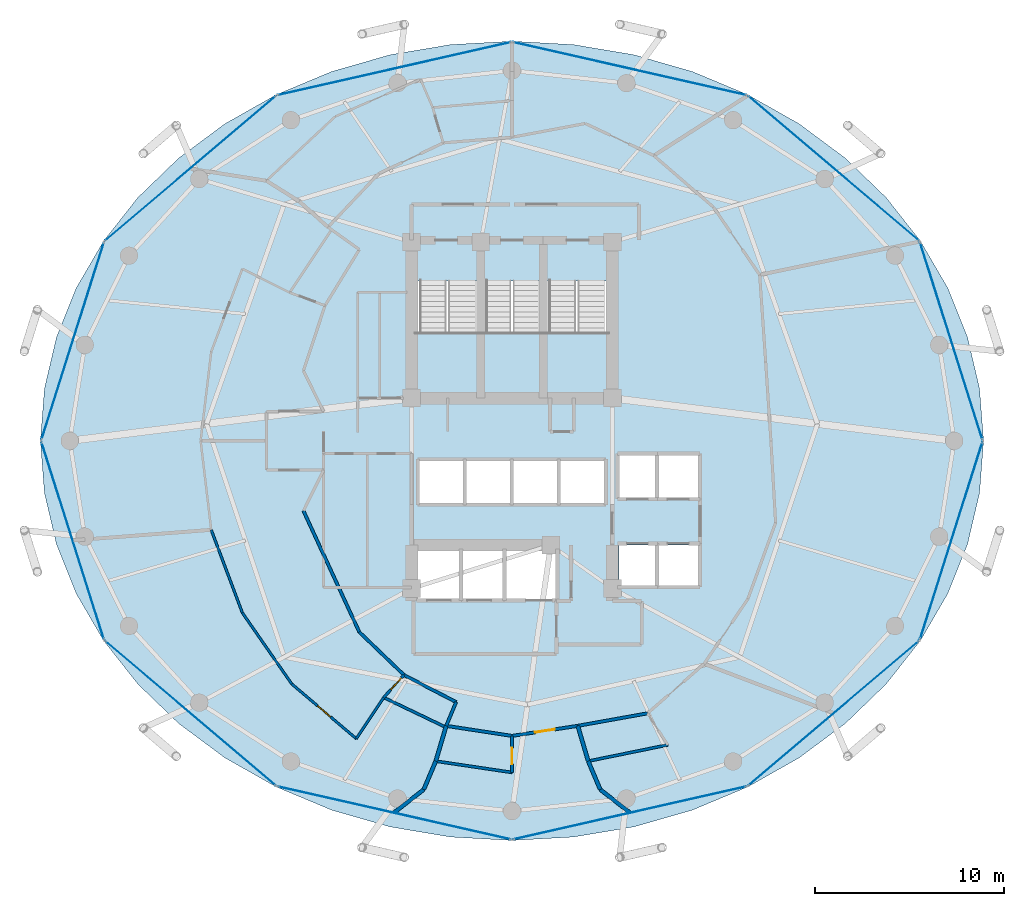
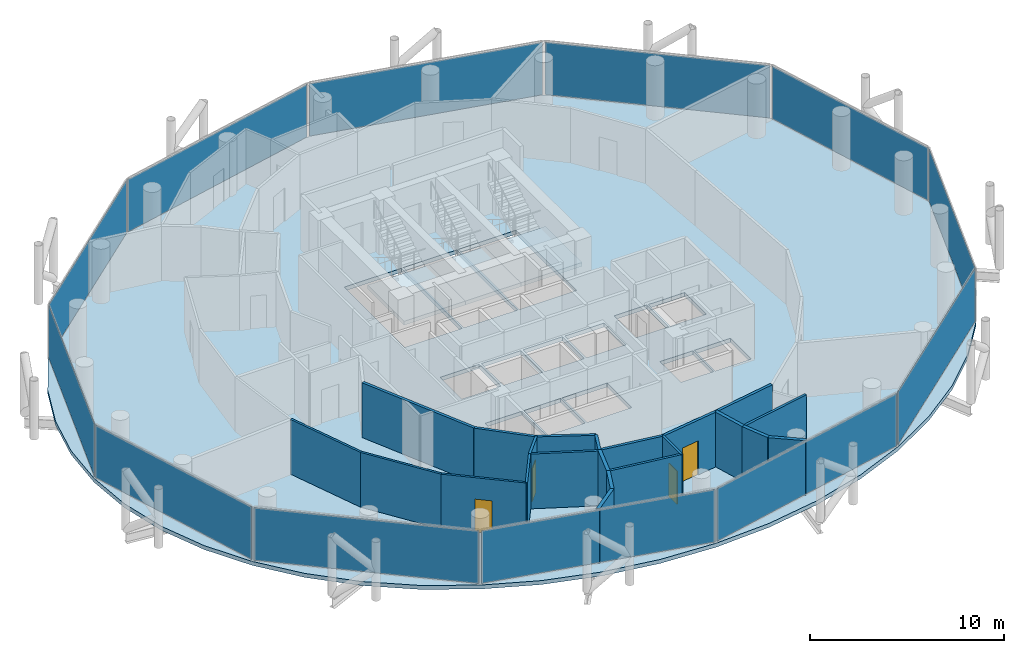
# One storey, part 21 of 26: 22 walls, 12 plates, 4 doors, 4 slabs, 4 openings, 15 elements without a shape of their own.
"""IFC4 building model written with IfcOpenShell, lengths in metres."""

from ifc_helpers import new_model, si_unit, direction, frame, frame_2d, origin, origin_2d, place, context, subcontext, project, spatial, polyline, rectangle, outline, extrude, material, layer, layer_set, type_object, element, fill, aggregate, save


model = new_model("IFC4")

# Units and contexts
model_context = context("Model", 3, precision=1e-05, world=origin(), true_north=direction((0.0, 1.0)))
body_context = subcontext(model_context, "Body", "Model", "MODEL_VIEW")
ifc_project = project(units=[si_unit("LENGTHUNIT", "METRE"), si_unit("AREAUNIT", "SQUARE_METRE"), si_unit("VOLUMEUNIT", "CUBIC_METRE"), si_unit("PLANEANGLEUNIT", "RADIAN"), si_unit("MASSUNIT", "GRAM", prefix="KILO")], contexts=[model_context])

# Site, building, storey
site_placement = place(None, origin())
site = spatial("IfcSite", under=ifc_project, at=site_placement, CompositionType="ELEMENT")
building_placement = place(site_placement, origin())
building = spatial("IfcBuilding", under=site, at=building_placement, Name="Nuhasar Tower", CompositionType="ELEMENT")
storey_placement = place(building_placement, frame((0.0, 0.0, 140.449951171875)))
storey = spatial("IfcBuildingStorey", under=building, at=storey_placement, Name="L33", CompositionType="ELEMENT", Elevation=140.449951171875)

# Curtain wall, plate
ifc_material_1 = material(Name="Aluminium 6063-T6", Category="aluminium")
ifc_layer_1 = layer(ifc_material_1, 0.199951171875)
ifc_layer_set_1 = layer_set([ifc_layer_1], Name="Aluminium 6063-T6")
curtain_wall_type = type_object("IfcCurtainWallType", Name="CW-Z2-HTL", PredefinedType="NOTDEFINED", material=ifc_layer_set_1)
curtain_wall_1_placement = place(storey_placement, origin())
curtain_wall_1 = element("IfcCurtainWall", 1, at=curtain_wall_1_placement, inside=storey, type_object=curtain_wall_type, Name="L33 Unitised Curtain Wall 01", PredefinedType="NOTDEFINED")
ifc_material_2 = material(Name="Glass Double Low-E", Category="glass")
ifc_layer_2 = layer(ifc_material_2, 0.028076171875)
ifc_layer_set_2 = layer_set([ifc_layer_2], Name="Glass Double Low-E")
plate_type = type_object("IfcPlateType", Name="CW-PANEL-GLZ", PredefinedType="CURTAIN_PANEL", material=ifc_layer_set_2)
plate_1_placement = place(storey_placement, frame((62.194580078125, 32.06494140625, 0.070068359375), z_axis=(0.0, 0.0, 1.0), x_axis=(-0.301603667577, 0.953433389233, 0.0)))
plate_1 = element("IfcPlate", 2, at=plate_1_placement, type_object=plate_type, Name="CW-Z2 panel 1.1", PredefinedType="CURTAIN_PANEL", context=body_context, shape_type="SweptSolid", body=[
    extrude(rectangle(XDim=10.904296875, YDim=0.028076171875, at=origin_2d()), origin(), (0.0, 0.0, 1.0), 3.31005859375),
])
aggregate(curtain_wall_1, [plate_1])

curtain_wall_2_placement = place(storey_placement, origin())
curtain_wall_2 = element("IfcCurtainWall", 3, at=curtain_wall_2_placement, inside=storey, type_object=curtain_wall_type, Name="L33 Unitised Curtain Wall 02", PredefinedType="NOTDEFINED")
plate_2_placement = place(storey_placement, frame((55.9794921875, 41.18408203125, 0.070068359375), z_axis=(0.0, 0.0, 1.0), x_axis=(-0.763020370292, 0.646374438324, 0.0)))
plate_2 = element("IfcPlate", 4, at=plate_2_placement, type_object=plate_type, Name="CW-Z2 panel 1.1", PredefinedType="CURTAIN_PANEL", context=body_context, shape_type="SweptSolid", body=[
    extrude(rectangle(XDim=11.784912109375, YDim=0.028076171875, at=origin_2d()), origin(), (0.0, 0.0, 1.0), 3.31005859375),
])
aggregate(curtain_wall_2, [plate_2])

curtain_wall_3_placement = place(storey_placement, origin())
curtain_wall_3 = element("IfcCurtainWall", 5, at=curtain_wall_3_placement, inside=storey, type_object=curtain_wall_type, Name="L33 Unitised Curtain Wall 03", PredefinedType="NOTDEFINED")
plate_3_placement = place(storey_placement, frame((45.215087890625, 46.448974609375, 0.070068359375), z_axis=(0.0, 0.0, 1.0), x_axis=(-0.975183694221, 0.22139729566, 0.0)))
plate_3 = element("IfcPlate", 6, at=plate_3_placement, type_object=plate_type, Name="CW-Z2 panel 1.1", PredefinedType="CURTAIN_PANEL", context=body_context, shape_type="SweptSolid", body=[
    extrude(rectangle(XDim=12.606201171875, YDim=0.028076171875, at=origin_2d()), origin(), (0.0, 0.0, 1.0), 3.31005859375),
])
aggregate(curtain_wall_3, [plate_3])

curtain_wall_4_placement = place(storey_placement, origin())
curtain_wall_4 = element("IfcCurtainWall", 7, at=curtain_wall_4_placement, inside=storey, type_object=curtain_wall_type, Name="L33 Unitised Curtain Wall 04", PredefinedType="NOTDEFINED")
plate_4_placement = place(storey_placement, frame((32.784912109375, 46.448974609375, 0.070068359375), z_axis=(0.0, 0.0, 1.0), x_axis=(-0.975183694221, -0.22139729566, 0.0)))
plate_4 = element("IfcPlate", 8, at=plate_4_placement, type_object=plate_type, Name="CW-Z2 panel 1.1", PredefinedType="CURTAIN_PANEL", context=body_context, shape_type="SweptSolid", body=[
    extrude(rectangle(XDim=12.606201171875, YDim=0.028076171875, at=origin_2d()), origin(), (0.0, 0.0, 1.0), 3.31005859375),
])
aggregate(curtain_wall_4, [plate_4])

curtain_wall_5_placement = place(storey_placement, origin())
curtain_wall_5 = element("IfcCurtainWall", 9, at=curtain_wall_5_placement, inside=storey, type_object=curtain_wall_type, Name="L33 Unitised Curtain Wall 05", PredefinedType="NOTDEFINED")
plate_5_placement = place(storey_placement, frame((22.0205078125, 41.18408203125, 0.070068359375), z_axis=(0.0, 0.0, 1.0), x_axis=(-0.763020370292, -0.646374438324, 0.0)))
plate_5 = element("IfcPlate", 10, at=plate_5_placement, type_object=plate_type, Name="CW-Z2 panel 1.1", PredefinedType="CURTAIN_PANEL", context=body_context, shape_type="SweptSolid", body=[
    extrude(rectangle(XDim=11.784912109375, YDim=0.028076171875, at=origin_2d()), origin(), (0.0, 0.0, 1.0), 3.31005859375),
])
aggregate(curtain_wall_5, [plate_5])

curtain_wall_6_placement = place(storey_placement, origin())
curtain_wall_6 = element("IfcCurtainWall", 11, at=curtain_wall_6_placement, inside=storey, type_object=curtain_wall_type, Name="L33 Unitised Curtain Wall 06", PredefinedType="NOTDEFINED")
plate_6_placement = place(storey_placement, frame((15.805419921875, 32.06494140625, 0.070068359375), z_axis=(0.0, 0.0, 1.0), x_axis=(-0.301603667577, -0.953433389233, 0.0)))
plate_6 = element("IfcPlate", 12, at=plate_6_placement, type_object=plate_type, Name="CW-Z2 panel 1.1", PredefinedType="CURTAIN_PANEL", context=body_context, shape_type="SweptSolid", body=[
    extrude(rectangle(XDim=10.904296875, YDim=0.028076171875, at=origin_2d()), origin(), (0.0, 0.0, 1.0), 3.31005859375),
])
aggregate(curtain_wall_6, [plate_6])

curtain_wall_7_placement = place(storey_placement, origin())
curtain_wall_7 = element("IfcCurtainWall", 13, at=curtain_wall_7_placement, inside=storey, type_object=curtain_wall_type, Name="L33 Unitised Curtain Wall 07", PredefinedType="NOTDEFINED")
plate_7_placement = place(storey_placement, frame((15.805419921875, 21.534912109375, 0.070068359375), z_axis=(0.0, 0.0, 1.0), x_axis=(0.301603667577, -0.953433389233, 0.0)))
plate_7 = element("IfcPlate", 14, at=plate_7_placement, type_object=plate_type, Name="CW-Z2 panel 1.1", PredefinedType="CURTAIN_PANEL", context=body_context, shape_type="SweptSolid", body=[
    extrude(rectangle(XDim=10.904296875, YDim=0.028076171875, at=origin_2d()), origin(), (0.0, 0.0, 1.0), 3.31005859375),
])
aggregate(curtain_wall_7, [plate_7])

curtain_wall_8_placement = place(storey_placement, origin())
curtain_wall_8 = element("IfcCurtainWall", 15, at=curtain_wall_8_placement, inside=storey, type_object=curtain_wall_type, Name="L33 Unitised Curtain Wall 08", PredefinedType="NOTDEFINED")
plate_8_placement = place(storey_placement, frame((22.0205078125, 12.416015625, 0.070068359375), z_axis=(0.0, 0.0, 1.0), x_axis=(0.763020370292, -0.646374438324, 0.0)))
plate_8 = element("IfcPlate", 16, at=plate_8_placement, type_object=plate_type, Name="CW-Z2 panel 1.1", PredefinedType="CURTAIN_PANEL", context=body_context, shape_type="SweptSolid", body=[
    extrude(rectangle(XDim=11.784912109375, YDim=0.028076171875, at=origin_2d()), origin(), (0.0, 0.0, 1.0), 3.31005859375),
])
aggregate(curtain_wall_8, [plate_8])

curtain_wall_9_placement = place(storey_placement, origin())
curtain_wall_9 = element("IfcCurtainWall", 17, at=curtain_wall_9_placement, inside=storey, type_object=curtain_wall_type, Name="L33 Unitised Curtain Wall 09", PredefinedType="NOTDEFINED")
plate_9_placement = place(storey_placement, frame((32.784912109375, 7.15087890625, 0.070068359375), z_axis=(0.0, 0.0, 1.0), x_axis=(0.975183694221, -0.22139729566, 0.0)))
plate_9 = element("IfcPlate", 18, at=plate_9_placement, type_object=plate_type, Name="CW-Z2 panel 1.1", PredefinedType="CURTAIN_PANEL", context=body_context, shape_type="SweptSolid", body=[
    extrude(rectangle(XDim=12.606201171875, YDim=0.028076171875, at=origin_2d()), origin(), (0.0, 0.0, 1.0), 3.31005859375),
])
aggregate(curtain_wall_9, [plate_9])

curtain_wall_10_placement = place(storey_placement, origin())
curtain_wall_10 = element("IfcCurtainWall", 19, at=curtain_wall_10_placement, inside=storey, type_object=curtain_wall_type, Name="L33 Unitised Curtain Wall 10", PredefinedType="NOTDEFINED")
plate_10_placement = place(storey_placement, frame((45.215087890625, 7.15087890625, 0.070068359375), z_axis=(0.0, 0.0, 1.0), x_axis=(0.975183694221, 0.22139729566, 0.0)))
plate_10 = element("IfcPlate", 20, at=plate_10_placement, type_object=plate_type, Name="CW-Z2 panel 1.1", PredefinedType="CURTAIN_PANEL", context=body_context, shape_type="SweptSolid", body=[
    extrude(rectangle(XDim=12.606201171875, YDim=0.028076171875, at=origin_2d()), origin(), (0.0, 0.0, 1.0), 3.31005859375),
])
aggregate(curtain_wall_10, [plate_10])

curtain_wall_11_placement = place(storey_placement, origin())
curtain_wall_11 = element("IfcCurtainWall", 21, at=curtain_wall_11_placement, inside=storey, type_object=curtain_wall_type, Name="L33 Unitised Curtain Wall 11", PredefinedType="NOTDEFINED")
plate_11_placement = place(storey_placement, frame((55.9794921875, 12.416015625, 0.070068359375), z_axis=(0.0, 0.0, 1.0), x_axis=(0.763020370292, 0.646374438324, 0.0)))
plate_11 = element("IfcPlate", 22, at=plate_11_placement, type_object=plate_type, Name="CW-Z2 panel 1.1", PredefinedType="CURTAIN_PANEL", context=body_context, shape_type="SweptSolid", body=[
    extrude(rectangle(XDim=11.784912109375, YDim=0.028076171875, at=origin_2d()), origin(), (0.0, 0.0, 1.0), 3.31005859375),
])
aggregate(curtain_wall_11, [plate_11])

curtain_wall_12_placement = place(storey_placement, origin())
curtain_wall_12 = element("IfcCurtainWall", 23, at=curtain_wall_12_placement, inside=storey, type_object=curtain_wall_type, Name="L33 Unitised Curtain Wall 12", PredefinedType="NOTDEFINED")
plate_12_placement = place(storey_placement, frame((62.194580078125, 21.534912109375, 0.070068359375), z_axis=(0.0, 0.0, 1.0), x_axis=(0.301603667577, 0.953433389233, 0.0)))
plate_12 = element("IfcPlate", 24, at=plate_12_placement, type_object=plate_type, Name="CW-Z2 panel 1.1", PredefinedType="CURTAIN_PANEL", context=body_context, shape_type="SweptSolid", body=[
    extrude(rectangle(XDim=10.904296875, YDim=0.028076171875, at=origin_2d()), origin(), (0.0, 0.0, 1.0), 3.31005859375),
])
aggregate(curtain_wall_12, [plate_12])

# Stair, slab
ifc_material_3 = material(Name="Concrete C45/55", Category="concrete")
stair_type_1 = type_object("IfcStairType", Name="STR-ST-01-2F-22R-1682", PredefinedType="HALF_TURN_STAIR", material=ifc_material_3)
stair_1_placement = place(storey_placement, origin())
stair_1 = element("IfcStair", 25, at=stair_1_placement, inside=storey, type_object=stair_type_1, Name="L33 Exit Stair ST-01", PredefinedType="HALF_TURN_STAIR")
ifc_layer_3 = layer(ifc_material_3, 0.239990234375)
ifc_layer_set_3 = layer_set([ifc_layer_3], Name="Concrete C45/55")
slab_type_1 = type_object("IfcSlabType", Name="SLB-STAIR-LND-240", PredefinedType="LANDING", material=ifc_layer_set_3)
slab_1_placement = place(storey_placement, frame((0.0, 0.0, 1.610107421875)))
slab_1 = element("IfcSlab", 26, at=slab_1_placement, type_object=slab_type_1, Name="ST-01 landing 1", PredefinedType="LANDING", context=body_context, shape_type="SweptSolid", body=[
    extrude(outline(polyline([(33.699951171875, 28.75), (37.35009765625, 28.75), (37.35009765625, 32.52001953125), (33.699951171875, 32.52001953125), (33.699951171875, 28.75)])), origin(), (0.0, 0.0, 1.0), 0.239990234375),
])
aggregate(stair_1, [slab_1])

stair_type_2 = type_object("IfcStairType", Name="STR-ST-03-2F-22R-1682", PredefinedType="HALF_TURN_STAIR", material=ifc_material_3)
stair_2_placement = place(storey_placement, origin())
stair_2 = element("IfcStair", 27, at=stair_2_placement, inside=storey, type_object=stair_type_2, Name="L33 Exit Stair ST-03", PredefinedType="HALF_TURN_STAIR")
slab_2_placement = place(storey_placement, frame((0.0, 0.0, 1.610107421875)))
slab_2 = element("IfcSlab", 28, at=slab_2_placement, type_object=slab_type_1, Name="ST-03 landing 1", PredefinedType="LANDING", context=body_context, shape_type="SweptSolid", body=[
    extrude(outline(polyline([(37.35009765625, 28.75), (40.64990234375, 28.75), (40.64990234375, 32.52001953125), (37.35009765625, 32.52001953125), (37.35009765625, 28.75)])), origin(), (0.0, 0.0, 1.0), 0.239990234375),
])
aggregate(stair_2, [slab_2])

stair_type_3 = type_object("IfcStairType", Name="STR-ST-02-2F-22R-1682", PredefinedType="HALF_TURN_STAIR", material=ifc_material_3)
stair_3_placement = place(storey_placement, origin())
stair_3 = element("IfcStair", 29, at=stair_3_placement, inside=storey, type_object=stair_type_3, Name="L33 Exit Stair ST-02", PredefinedType="HALF_TURN_STAIR")
slab_3_placement = place(storey_placement, frame((0.0, 0.0, 1.610107421875)))
slab_3 = element("IfcSlab", 30, at=slab_3_placement, type_object=slab_type_1, Name="ST-02 landing 1", PredefinedType="LANDING", context=body_context, shape_type="SweptSolid", body=[
    extrude(outline(polyline([(40.64990234375, 28.75), (44.300048828125, 28.75), (44.300048828125, 32.52001953125), (40.64990234375, 32.52001953125), (40.64990234375, 28.75)])), origin(), (0.0, 0.0, 1.0), 0.239990234375),
])
aggregate(stair_3, [slab_3])

# Slab
ifc_layer_4 = layer(ifc_material_3, 0.25)
ifc_layer_set_4 = layer_set([ifc_layer_4], Name="Concrete C45/55")
slab_type_2 = type_object("IfcSlabType", Name="SLB-Z1B-250", PredefinedType="FLOOR", material=ifc_layer_set_4)
slab_4_placement = place(storey_placement, frame((0.0, 0.0, -0.25)))
element("IfcSlab", 31, at=slab_4_placement, inside=storey, type_object=slab_type_2, Name="L33 Structural Slab", PredefinedType="FLOOR", context=body_context, shape_type="SweptSolid", body=[
    extrude(outline(polyline([(63.89990234375, 26.800048828125), (63.68701171875, 29.553955078125), (63.052001953125, 32.260986328125), (62.0048828125, 34.875), (60.56396484375, 37.35009765625), (58.75390625, 39.64501953125), (56.60693359375, 41.719970703125), (54.157958984375, 43.5400390625), (51.449951171875, 45.072998046875), (48.529052734375, 46.2939453125), (45.445068359375, 47.180908203125), (42.25, 47.718994140625), (39.0, 47.89990234375), (35.75, 47.718994140625), (32.554931640625, 47.180908203125), (29.470947265625, 46.2939453125), (26.550048828125, 45.072998046875), (23.842041015625, 43.5400390625), (21.39306640625, 41.719970703125), (19.24609375, 39.64501953125), (17.43603515625, 37.35009765625), (15.9951171875, 34.875), (14.947998046875, 32.260986328125), (14.31298828125, 29.553955078125), (14.10009765625, 26.800048828125), (14.31298828125, 24.0458984375), (14.947998046875, 21.339111328125), (15.9951171875, 18.72509765625), (17.43603515625, 16.25), (19.24609375, 13.955078125), (21.39306640625, 11.8798828125), (23.842041015625, 10.06005859375), (26.550048828125, 8.527099609375), (29.470947265625, 7.305908203125), (32.554931640625, 6.4189453125), (35.75, 5.881103515625), (39.0, 5.699951171875), (42.25, 5.881103515625), (45.445068359375, 6.4189453125), (48.529052734375, 7.305908203125), (51.449951171875, 8.527099609375), (54.157958984375, 10.06005859375), (56.60693359375, 11.8798828125), (58.75390625, 13.955078125), (60.56396484375, 16.25), (62.0048828125, 18.72509765625), (63.052001953125, 21.339111328125), (63.68701171875, 24.0458984375), (63.89990234375, 26.800048828125)]), holes=[polyline([(33.8798828125, 35.25), (37.300048828125, 35.25), (37.300048828125, 29.0), (33.8798828125, 29.0), (33.8798828125, 35.25)]), polyline([(37.39990234375, 35.25), (40.60009765625, 35.25), (40.60009765625, 29.0), (37.39990234375, 29.0), (37.39990234375, 35.25)]), polyline([(40.699951171875, 35.25), (44.1201171875, 35.25), (44.1201171875, 29.0), (40.699951171875, 29.0), (40.699951171875, 35.25)]), polyline([(44.64990234375, 26.050048828125), (46.60009765625, 26.050048828125), (46.60009765625, 23.800048828125), (44.64990234375, 23.800048828125), (44.64990234375, 26.050048828125)]), polyline([(46.699951171875, 26.050048828125), (48.85009765625, 26.050048828125), (48.85009765625, 23.800048828125), (46.699951171875, 23.800048828125), (46.699951171875, 26.050048828125)]), polyline([(44.64990234375, 21.300048828125), (46.60009765625, 21.300048828125), (46.60009765625, 19.14990234375), (44.64990234375, 19.14990234375), (44.64990234375, 21.300048828125)]), polyline([(46.699951171875, 21.300048828125), (48.85009765625, 21.300048828125), (48.85009765625, 19.14990234375), (46.699951171875, 19.14990234375), (46.699951171875, 21.300048828125)]), polyline([(34.10009765625, 25.75), (36.43994140625, 25.75), (36.43994140625, 23.5), (34.10009765625, 23.5), (34.10009765625, 25.75)]), polyline([(36.580078125, 25.75), (38.919921875, 25.75), (38.919921875, 23.5), (36.580078125, 23.5), (36.580078125, 25.75)]), polyline([(39.06005859375, 25.75), (41.39990234375, 25.75), (41.39990234375, 23.5), (39.06005859375, 23.5), (39.06005859375, 25.75)]), polyline([(41.5400390625, 25.75), (43.8798828125, 25.75), (43.8798828125, 23.5), (41.5400390625, 23.5), (41.5400390625, 25.75)]), polyline([(34.050048828125, 21.0), (36.25, 21.0), (36.25, 18.449951171875), (34.050048828125, 18.449951171875), (34.050048828125, 21.0)]), polyline([(36.35009765625, 21.0), (38.550048828125, 21.0), (38.550048828125, 18.449951171875), (36.35009765625, 18.449951171875), (36.35009765625, 21.0)]), polyline([(38.64990234375, 21.0), (41.320068359375, 21.0), (41.320068359375, 18.449951171875), (38.64990234375, 18.449951171875), (38.64990234375, 21.0)])]), origin(), (0.0, 0.0, 1.0), 0.25),
])

# Wall
ifc_material_4 = material(Name="Gypsum Board", Category="gypsum")
ifc_layer_5 = layer(ifc_material_4, 0.159912109375)
ifc_layer_set_5 = layer_set([ifc_layer_5], Name="Gypsum Board")
wall_type_1 = type_object("IfcWallType", Name="WL-CORR-160", PredefinedType="PARTITIONING", material=ifc_layer_set_5)
wall_1_placement = place(storey_placement, frame((35.527099609375, 11.7509765625, 0.0), z_axis=(0.0, 0.0, 1.0), x_axis=(0.988511864265, -0.151143290318, 0.0)))
element("IfcWall", 32, at=wall_1_placement, inside=storey, type_object=wall_type_1, Name="L33 Interior Partition CORR-34", PredefinedType="PARTITIONING", context=body_context, shape_type="SweptSolid", body=[
    extrude(rectangle(XDim=3.51318359375, YDim=0.159912109375, at=frame_2d((1.756591796875, 0.0))), origin(), (0.0, 0.0, 1.0), 3.449951171875),
])

# Wall, opening, door
wall_2_placement = place(storey_placement, frame((42.472900390625, 11.7509765625, 0.0), z_axis=(0.0, 0.0, 1.0), x_axis=(-0.988511864265, -0.151143290318, 0.0)))
wall_2 = element("IfcWall", 33, at=wall_2_placement, inside=storey, type_object=wall_type_1, Name="L33 Interior Partition CORR-36", PredefinedType="PARTITIONING", context=body_context, shape_type="SweptSolid", body=[
    extrude(rectangle(XDim=3.51318359375, YDim=0.159912109375, at=frame_2d((1.756591796875, 0.0))), origin(), (0.0, 0.0, 1.0), 3.449951171875),
])
opening_1_placement = place(wall_2_placement, frame((1.23193359375, 0.0, 0.0)))
opening_1 = element("IfcOpeningElement", 34, at=opening_1_placement, cuts=wall_2, Name="Opening DU-01", PredefinedType="OPENING", context=body_context, shape_type="SweptSolid", body=[
    extrude(rectangle(XDim=1.050048828125, YDim=2.14990234375, at=frame_2d((0.52490234375, 1.074951171875))), frame((0.0, 0.08984375, 0.0), z_axis=(0.0, -1.0, 0.0), x_axis=(1.0, 0.0, 0.0)), (0.0, 0.0, 1.0), 0.179931640625),
])
ifc_material_5 = material(Name="Timber Oak", Category="wood")
door_type_1 = type_object("IfcDoorType", Name="DR-SUITE-FD60-1050", OperationType="NOTDEFINED", PredefinedType="DOOR", material=ifc_material_5)
door_1_placement = place(opening_1_placement, origin())
door_1 = element("IfcDoor", 35, at=door_1_placement, inside=storey, type_object=door_type_1, Name="L33 Club Junior Suite 01 Entrance Door", OperationType="SINGLE_SWING_RIGHT", OverallHeight=2.14990234375, OverallWidth=1.050048828125, PredefinedType="DOOR", context=body_context, shape_type="SweptSolid", body=[
    extrude(rectangle(XDim=1.050048828125, YDim=2.14990234375, at=frame_2d((0.52490234375, 1.074951171875))), frame((0.0, 0.02490234375, 0.0), z_axis=(0.0, -1.0, 0.0), x_axis=(1.0, 0.0, 0.0)), (0.0, 0.0, 1.0), 0.050048828125),
])
fill(opening_1, door_1)

# Walls
wall_3_placement = place(storey_placement, frame((42.472900390625, 11.7509765625, 0.0), z_axis=(0.0, 0.0, 1.0), x_axis=(0.984260148177, 0.176725665115, 0.0)))
element("IfcWall", 36, at=wall_3_placement, inside=storey, type_object=wall_type_1, Name="L33 Interior Partition CORR-38", PredefinedType="PARTITIONING", context=body_context, shape_type="SweptSolid", body=[
    extrude(rectangle(XDim=3.740966796875, YDim=0.159912109375, at=frame_2d((1.87060546875, 0.0))), origin(), (0.0, 0.0, 1.0), 3.449951171875),
])
wall_4_placement = place(storey_placement, frame((36.049072265625, 13.007080078125, 0.0), z_axis=(0.0, 0.0, 1.0), x_axis=(-0.38373584686, -0.923442905563, 0.0)))
element("IfcWall", 37, at=wall_4_placement, inside=storey, type_object=wall_type_1, Name="L33 Interior Partition HRAD-34-IN", PredefinedType="PARTITIONING", context=body_context, shape_type="SweptSolid", body=[
    extrude(rectangle(XDim=1.3603515625, YDim=0.159912109375, at=frame_2d((0.68017578125, 0.0))), origin(), (0.0, 0.0, 1.0), 3.449951171875),
])
wall_5_placement = place(storey_placement, frame((27.988037109375, 23.10400390625, 0.0), z_axis=(0.0, 0.0, 1.0), x_axis=(0.418656179426, -0.908144814128, 0.0)))
element("IfcWall", 38, at=wall_5_placement, inside=storey, type_object=wall_type_1, Name="L33 Interior Partition HWEST-CORE-S1-26", PredefinedType="PARTITIONING", context=body_context, shape_type="SweptSolid", body=[
    extrude(rectangle(XDim=7.048583984375, YDim=0.159912109375, at=frame_2d((3.5244140625, 0.0))), origin(), (0.0, 0.0, 1.0), 3.449951171875),
])
wall_6_placement = place(storey_placement, frame((30.93896484375, 16.702880859375, 0.0), z_axis=(0.0, 0.0, 1.0), x_axis=(0.72090897908, -0.693029756851, 0.0)))
element("IfcWall", 39, at=wall_6_placement, inside=storey, type_object=wall_type_1, Name="L33 Interior Partition HWEST-CORE-S2-30", PredefinedType="PARTITIONING", context=body_context, shape_type="SweptSolid", body=[
    extrude(rectangle(XDim=3.275146484375, YDim=0.159912109375, at=frame_2d((1.6376953125, 0.0))), origin(), (0.0, 0.0, 1.0), 3.449951171875),
])
wall_7_placement = place(storey_placement, frame((33.300048828125, 14.43310546875, 0.0), z_axis=(0.0, 0.0, 1.0), x_axis=(0.887674575788, -0.460471331898, 0.0)))
element("IfcWall", 40, at=wall_7_placement, inside=storey, type_object=wall_type_1, Name="L33 Interior Partition HWEST-CORE-S2-32", PredefinedType="PARTITIONING", context=body_context, shape_type="SweptSolid", body=[
    extrude(rectangle(XDim=3.096923828125, YDim=0.159912109375, at=frame_2d((1.54833984375, 0.0))), origin(), (0.0, 0.0, 1.0), 3.449951171875),
])
ifc_layer_6 = layer(ifc_material_4, 0.125)
ifc_layer_set_6 = layer_set([ifc_layer_6], Name="Gypsum Board")
wall_type_2 = type_object("IfcWallType", Name="WL-PART-125", PredefinedType="PARTITIONING", material=ifc_layer_set_6)
wall_8_placement = place(storey_placement, frame((32.22509765625, 13.2470703125, 0.0), z_axis=(0.0, 0.0, 1.0), x_axis=(-0.553555827905, -0.832812070873, 0.0)))
element("IfcWall", 41, at=wall_8_placement, inside=storey, type_object=wall_type_2, Name="L33 Interior Partition HWS2-N", PredefinedType="PARTITIONING", context=body_context, shape_type="SweptSolid", body=[
    extrude(rectangle(XDim=2.610595703125, YDim=0.125, at=frame_2d((1.30517578125, 0.0))), origin(), (0.0, 0.0, 1.0), 3.449951171875),
])
wall_9_placement = place(storey_placement, frame((23.1201171875, 22.10009765625, 0.0), z_axis=(0.0, 0.0, 1.0), x_axis=(0.351174914427, -0.936309873641, 0.0)))
element("IfcWall", 42, at=wall_9_placement, inside=storey, type_object=wall_type_2, Name="L33 Interior Partition HWS2-ARC-26", PredefinedType="PARTITIONING", context=body_context, shape_type="SweptSolid", body=[
    extrude(rectangle(XDim=4.677978515625, YDim=0.125, at=frame_2d((2.3388671875, 0.0))), origin(), (0.0, 0.0, 1.0), 3.449951171875),
])
wall_10_placement = place(storey_placement, frame((24.762939453125, 17.719970703125, 0.0), z_axis=(0.0, 0.0, 1.0), x_axis=(0.570434776354, -0.821342903985, 0.0)))
element("IfcWall", 43, at=wall_10_placement, inside=storey, type_object=wall_type_2, Name="L33 Interior Partition HWS2-ARC-28", PredefinedType="PARTITIONING", context=body_context, shape_type="SweptSolid", body=[
    extrude(rectangle(XDim=4.5791015625, YDim=0.125, at=frame_2d((2.28955078125, 0.0))), origin(), (0.0, 0.0, 1.0), 3.449951171875),
])

# Wall, opening, door
wall_11_placement = place(storey_placement, frame((27.375, 13.958984375, 0.0), z_axis=(0.0, 0.0, 1.0), x_axis=(0.762854903473, -0.646569714917, 0.0)))
wall_11 = element("IfcWall", 44, at=wall_11_placement, inside=storey, type_object=wall_type_2, Name="L33 Interior Partition HWS2-ARC-30", PredefinedType="PARTITIONING", context=body_context, shape_type="SweptSolid", body=[
    extrude(rectangle(XDim=4.463623046875, YDim=0.125, at=frame_2d((2.23193359375, 0.0))), origin(), (0.0, 0.0, 1.0), 3.449951171875),
])
opening_2_placement = place(wall_11_placement, frame((1.781982421875, 0.0, 0.0)))
opening_2 = element("IfcOpeningElement", 45, at=opening_2_placement, cuts=wall_11, Name="Opening DR-01", PredefinedType="OPENING", context=body_context, shape_type="SweptSolid", body=[
    extrude(rectangle(XDim=0.89990234375, YDim=2.10009765625, at=frame_2d((0.449951171875, 1.050048828125))), frame((0.0, 0.072509765625, 0.0), z_axis=(0.0, -1.0, 0.0), x_axis=(1.0, 0.0, 0.0)), (0.0, 0.0, 1.0), 0.14501953125),
])
door_type_2 = type_object("IfcDoorType", Name="DR-ROOM-900", OperationType="NOTDEFINED", PredefinedType="DOOR", material=ifc_material_5)
door_2_placement = place(opening_2_placement, origin())
door_2 = element("IfcDoor", 46, at=door_2_placement, inside=storey, type_object=door_type_2, Name="L33 South-West Presidential Suite Bedroom Door", OperationType="SINGLE_SWING_RIGHT", OverallHeight=2.10009765625, OverallWidth=0.89990234375, PredefinedType="DOOR", context=body_context, shape_type="SweptSolid", body=[
    extrude(rectangle(XDim=0.89990234375, YDim=2.10009765625, at=frame_2d((0.449951171875, 1.050048828125))), frame((0.0, 0.02490234375, 0.0), z_axis=(0.0, -1.0, 0.0), x_axis=(1.0, 0.0, 0.0)), (0.0, 0.0, 1.0), 0.050048828125),
])
fill(opening_2, door_2)

# Walls
ifc_material_6 = material(Name="Concrete C40/50 precast", Category="concrete")
ifc_layer_7 = layer(ifc_material_6, 0.199951171875)
ifc_layer_set_7 = layer_set([ifc_layer_7], Name="Concrete C40/50 precast")
wall_type_3 = type_object("IfcWallType", Name="WL-UNIT-200", PredefinedType="PARTITIONING", material=ifc_layer_set_7)
wall_12_placement = place(storey_placement, frame((35.527099609375, 11.7509765625, 0.0), z_axis=(0.0, 0.0, 1.0), x_axis=(-0.283947221883, -0.958839911135, 0.0)))
element("IfcWall", 47, at=wall_12_placement, inside=storey, type_object=wall_type_3, Name="L33 Interior Partition HRAD-34-OUT-S1", PredefinedType="PARTITIONING", context=body_context, shape_type="SweptSolid", body=[
    extrude(rectangle(XDim=1.944091796875, YDim=0.199951171875, at=frame_2d((0.97216796875, 0.0))), origin(), (0.0, 0.0, 1.0), 3.449951171875),
])
wall_13_placement = place(storey_placement, frame((34.97509765625, 9.886962890625, 0.0), z_axis=(0.0, 0.0, 1.0), x_axis=(-0.389767285182, -0.920913385396, 0.0)))
element("IfcWall", 48, at=wall_13_placement, inside=storey, type_object=wall_type_3, Name="L33 Interior Partition HRAD-34-OUT-S2", PredefinedType="PARTITIONING", context=body_context, shape_type="SweptSolid", body=[
    extrude(rectangle(XDim=1.626708984375, YDim=0.199951171875, at=frame_2d((0.8134765625, 0.0))), origin(), (0.0, 0.0, 1.0), 3.449951171875),
])
wall_14_placement = place(storey_placement, frame((34.341064453125, 8.388916015625, 0.0), z_axis=(0.0, 0.0, 1.0), x_axis=(-0.788976644824, -0.614423187976, 0.0)))
element("IfcWall", 49, at=wall_14_placement, inside=storey, type_object=wall_type_3, Name="L33 Interior Partition HRAD-34-OUT-S3", PredefinedType="PARTITIONING", context=body_context, shape_type="SweptSolid", body=[
    extrude(rectangle(XDim=1.9609375, YDim=0.199951171875, at=frame_2d((0.98046875, 0.0))), origin(), (0.0, 0.0, 1.0), 3.449951171875),
])
wall_15_placement = place(storey_placement, frame((42.472900390625, 11.7509765625, 0.0), z_axis=(0.0, 0.0, 1.0), x_axis=(0.283947221883, -0.958839911135, 0.0)))
element("IfcWall", 50, at=wall_15_placement, inside=storey, type_object=wall_type_3, Name="L33 Interior Partition HRAD-38-S1", PredefinedType="PARTITIONING", context=body_context, shape_type="SweptSolid", body=[
    extrude(rectangle(XDim=1.944091796875, YDim=0.199951171875, at=frame_2d((0.97216796875, 0.0))), origin(), (0.0, 0.0, 1.0), 3.449951171875),
])
wall_16_placement = place(storey_placement, frame((43.02490234375, 9.886962890625, 0.0), z_axis=(0.0, 0.0, 1.0), x_axis=(0.389767285182, -0.920913385396, 0.0)))
element("IfcWall", 51, at=wall_16_placement, inside=storey, type_object=wall_type_3, Name="L33 Interior Partition HRAD-38-S2", PredefinedType="PARTITIONING", context=body_context, shape_type="SweptSolid", body=[
    extrude(rectangle(XDim=1.626708984375, YDim=0.199951171875, at=frame_2d((0.8134765625, 0.0))), origin(), (0.0, 0.0, 1.0), 3.449951171875),
])
wall_17_placement = place(storey_placement, frame((43.658935546875, 8.388916015625, 0.0), z_axis=(0.0, 0.0, 1.0), x_axis=(0.788976644824, -0.614423187976, 0.0)))
element("IfcWall", 52, at=wall_17_placement, inside=storey, type_object=wall_type_3, Name="L33 Interior Partition HRAD-38-S3", PredefinedType="PARTITIONING", context=body_context, shape_type="SweptSolid", body=[
    extrude(rectangle(XDim=1.9609375, YDim=0.199951171875, at=frame_2d((0.98046875, 0.0))), origin(), (0.0, 0.0, 1.0), 3.449951171875),
])

# Wall, opening, door
ifc_layer_8 = layer(ifc_material_6, 0.139892578125)
ifc_layer_set_8 = layer_set([ifc_layer_8], Name="Concrete C40/50 precast")
wall_type_4 = type_object("IfcWallType", Name="WL-WET-140", PredefinedType="PARTITIONING", material=ifc_layer_set_8)
wall_18_placement = place(storey_placement, frame((39.0, 11.219970703125, 0.0), z_axis=(0.0, 0.0, 1.0), x_axis=(0.0, -1.0, 0.0)))
wall_18 = element("IfcWall", 53, at=wall_18_placement, inside=storey, type_object=wall_type_4, Name="L33 Interior Partition HBW-01", PredefinedType="PARTITIONING", context=body_context, shape_type="SweptSolid", body=[
    extrude(rectangle(XDim=1.929931640625, YDim=0.139892578125, at=frame_2d((0.96484375, 0.0))), origin(), (0.0, 0.0, 1.0), 3.449951171875),
])
opening_3_placement = place(wall_18_placement, frame((0.636962890625, 0.0, 0.0)))
opening_3 = element("IfcOpeningElement", 54, at=opening_3_placement, cuts=wall_18, Name="Opening DB-01", PredefinedType="OPENING", context=body_context, shape_type="SweptSolid", body=[
    extrude(rectangle(XDim=0.85009765625, YDim=2.10009765625, at=frame_2d((0.425048828125, 1.050048828125))), frame((0.0, 0.080078125, 0.0), z_axis=(0.0, -1.0, 0.0), x_axis=(1.0, 0.0, 0.0)), (0.0, 0.0, 1.0), 0.159912109375),
])
door_type_3 = type_object("IfcDoorType", Name="DR-BATH-850", OperationType="NOTDEFINED", PredefinedType="DOOR", material=ifc_material_5)
door_3_placement = place(opening_3_placement, origin())
door_3 = element("IfcDoor", 55, at=door_3_placement, inside=storey, type_object=door_type_3, Name="L33 Club Junior Suite 01 En-Suite Door", OperationType="SINGLE_SWING_RIGHT", OverallHeight=2.10009765625, OverallWidth=0.85009765625, PredefinedType="DOOR", context=body_context, shape_type="SweptSolid", body=[
    extrude(rectangle(XDim=0.85009765625, YDim=2.10009765625, at=frame_2d((0.425048828125, 1.050048828125))), frame((0.0, 0.02490234375, 0.0), z_axis=(0.0, -1.0, 0.0), x_axis=(1.0, 0.0, 0.0)), (0.0, 0.0, 1.0), 0.050048828125),
])
fill(opening_3, door_3)

# Walls
wall_19_placement = place(storey_placement, frame((34.97509765625, 9.886962890625, 0.0), z_axis=(0.0, 0.0, 1.0), x_axis=(0.989180577346, -0.146703051778, 0.0)))
element("IfcWall", 56, at=wall_19_placement, inside=storey, type_object=wall_type_4, Name="L33 Interior Partition HBF-01-34", PredefinedType="PARTITIONING", context=body_context, shape_type="SweptSolid", body=[
    extrude(rectangle(XDim=4.06884765625, YDim=0.139892578125, at=frame_2d((2.034423828125, 0.0))), origin(), (0.0, 0.0, 1.0), 3.449951171875),
])
wall_20_placement = place(storey_placement, frame((43.02490234375, 9.886962890625, 0.0), z_axis=(0.0, 0.0, 1.0), x_axis=(0.979769708122, 0.200128256494, 0.0)))
element("IfcWall", 57, at=wall_20_placement, inside=storey, type_object=wall_type_4, Name="L33 Interior Partition HBF-02-38", PredefinedType="PARTITIONING", context=body_context, shape_type="SweptSolid", body=[
    extrude(rectangle(XDim=4.29296875, YDim=0.139892578125, at=frame_2d((2.146484375, 0.0))), origin(), (0.0, 0.0, 1.0), 3.449951171875),
])

# Wall, opening, door
wall_21_placement = place(storey_placement, frame((33.300048828125, 14.43310546875, 0.0), z_axis=(0.0, 0.0, 1.0), x_axis=(-0.671556062003, -0.740953747266, 0.0)))
wall_21 = element("IfcWall", 58, at=wall_21_placement, inside=storey, type_object=wall_type_4, Name="L33 Interior Partition HBW2-N", PredefinedType="PARTITIONING", context=body_context, shape_type="SweptSolid", body=[
    extrude(rectangle(XDim=1.6005859375, YDim=0.139892578125, at=frame_2d((0.80029296875, 0.0))), origin(), (0.0, 0.0, 1.0), 3.449951171875),
])
opening_4_placement = place(wall_21_placement, frame((0.199951171875, 0.0, 0.0)))
opening_4 = element("IfcOpeningElement", 59, at=opening_4_placement, cuts=wall_21, Name="Opening DB-01", PredefinedType="OPENING", context=body_context, shape_type="SweptSolid", body=[
    extrude(rectangle(XDim=0.85009765625, YDim=2.10009765625, at=frame_2d((0.425048828125, 1.050048828125))), frame((0.0, 0.080078125, 0.0), z_axis=(0.0, -1.0, 0.0), x_axis=(1.0, 0.0, 0.0)), (0.0, 0.0, 1.0), 0.159912109375),
])
door_4_placement = place(opening_4_placement, origin())
door_4 = element("IfcDoor", 60, at=door_4_placement, inside=storey, type_object=door_type_3, Name="L33 South-West Presidential Suite En-Suite Door", OperationType="SINGLE_SWING_LEFT", OverallHeight=2.10009765625, OverallWidth=0.85009765625, PredefinedType="DOOR", context=body_context, shape_type="SweptSolid", body=[
    extrude(rectangle(XDim=0.85009765625, YDim=2.10009765625, at=frame_2d((0.425048828125, 1.050048828125))), frame((0.0, 0.02490234375, 0.0), z_axis=(0.0, -1.0, 0.0), x_axis=(1.0, 0.0, 0.0)), (0.0, 0.0, 1.0), 0.050048828125),
])
fill(opening_4, door_4)

# Wall
wall_22_placement = place(storey_placement, frame((32.22509765625, 13.2470703125, 0.0), z_axis=(0.0, 0.0, 1.0), x_axis=(0.902016722043, -0.431701092372, 0.0)))
element("IfcWall", 61, at=wall_22_placement, inside=storey, type_object=wall_type_4, Name="L33 Interior Partition HBW2-E", PredefinedType="PARTITIONING", context=body_context, shape_type="SweptSolid", body=[
    extrude(rectangle(XDim=3.622802734375, YDim=0.139892578125, at=frame_2d((1.8115234375, 0.0))), origin(), (0.0, 0.0, 1.0), 3.449951171875),
])

save(model, "model.ifc")
